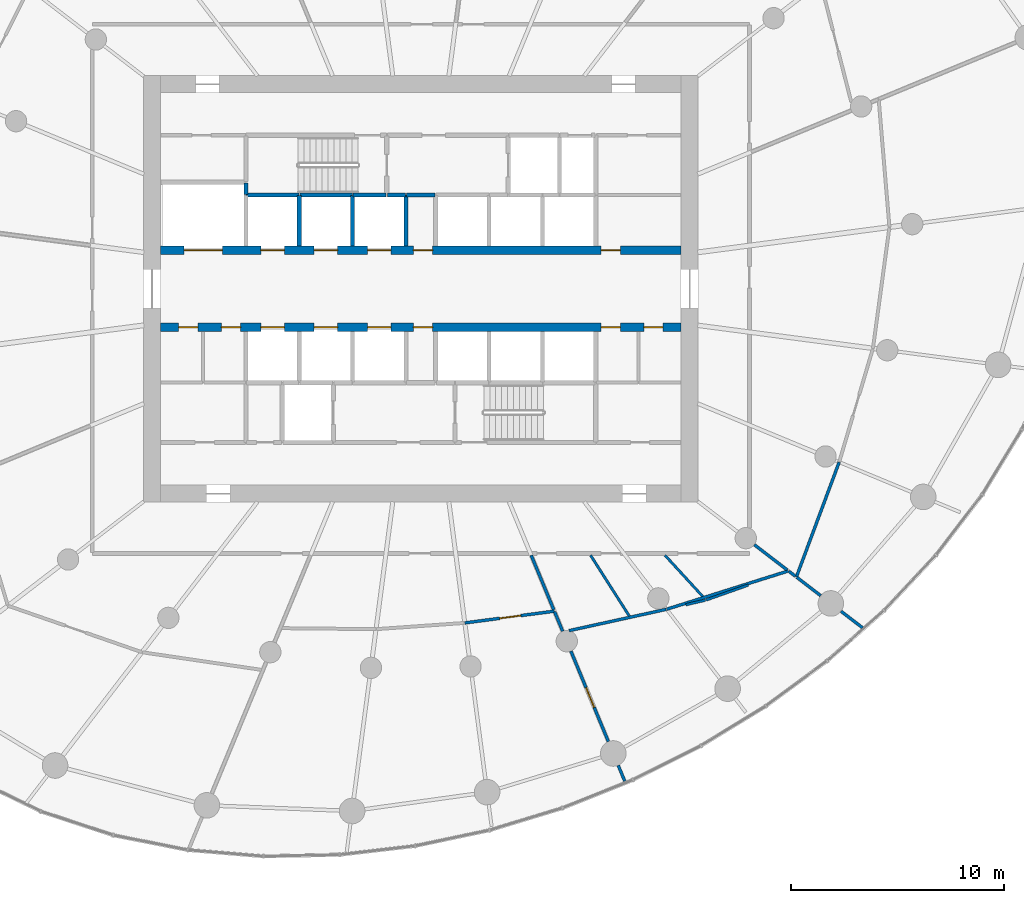
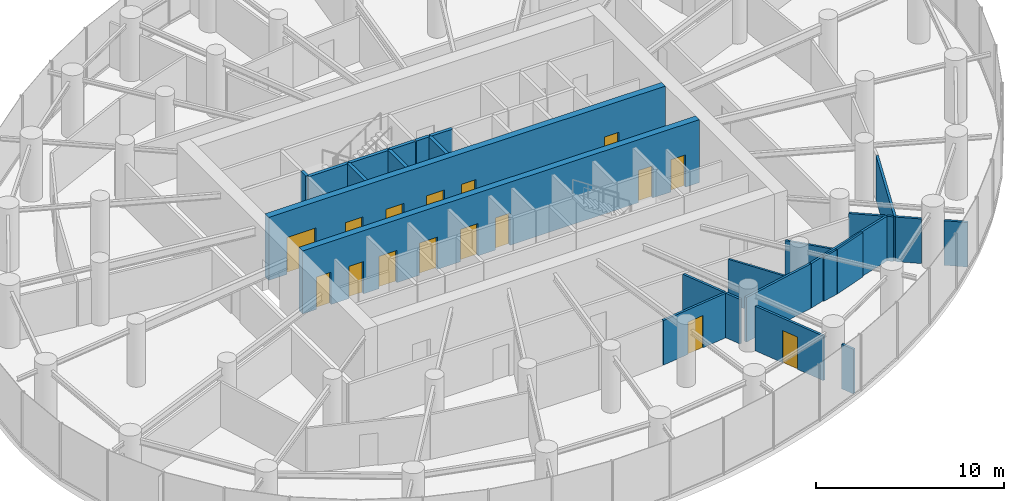
# One storey, part 11 of 17: 27 walls, 16 doors, 16 openings.
"""IFC4 building model written with IfcOpenShell, lengths in metres."""

from ifc_helpers import new_model, si_unit, direction, frame, frame_2d, origin, place, context, subcontext, project, spatial, rectangle, extrude, source, transform, mapped, material, layer, layer_set, type_object, element, fill, save


model = new_model("IFC4")

# Units and contexts
model_context = context("Model", 3, precision=1e-05, world=origin(), true_north=direction((0.0, 1.0)))
body_context = subcontext(model_context, "Body", "Model", "MODEL_VIEW")
ifc_project = project(units=[si_unit("LENGTHUNIT", "METRE"), si_unit("AREAUNIT", "SQUARE_METRE"), si_unit("VOLUMEUNIT", "CUBIC_METRE"), si_unit("PLANEANGLEUNIT", "RADIAN"), si_unit("MASSUNIT", "GRAM", prefix="KILO")], contexts=[model_context])

# Site, building, storey
site_placement = place(None, origin())
site = spatial("IfcSite", under=ifc_project, at=site_placement, CompositionType="ELEMENT")
building_placement = place(site_placement, origin())
building = spatial("IfcBuilding", under=site, at=building_placement, Name="Spindrift Exchange Tower", CompositionType="ELEMENT")
storey_placement = place(building_placement, frame((0.0, 0.0, 96.199951171875)))
storey = spatial("IfcBuildingStorey", under=building, at=storey_placement, Name="L22", CompositionType="ELEMENT", Elevation=96.199951171875)

# Wall, openings, doors
ifc_material_1 = material(Name="Concrete 65 MPa", Category="concrete")
ifc_layer_1 = layer(ifc_material_1, 0.39990234375)
ifc_layer_set_1 = layer_set([ifc_layer_1], Name="RC Spine Wall 400 Concrete 65 MPa")
wall_type_1 = type_object("IfcWallType", Name="RC Spine Wall 400 Concrete 65 MPa", PredefinedType="SHEAR", material=ifc_layer_set_1)
wall_1_placement = place(storey_placement, frame((39.800048828125, 49.800048828125, 0.0), z_axis=(0.0, 0.0, 1.0), x_axis=(1.0, 0.0, 0.0)))
wall_1 = element("IfcWall", 1, at=wall_1_placement, inside=storey, type_object=wall_type_1, Name="Core spine wall N L22", PredefinedType="SHEAR", context=body_context, shape_type="SweptSolid", body=[
    extrude(rectangle(XDim=24.39990234375, YDim=0.39990234375, at=frame_2d((12.199951171875, 0.0))), origin(), (0.0, 0.0, 1.0), 4.10009765625),
])
opening_1_placement = place(wall_1_placement, frame((4.699951171875, 0.0, 0.0)))
opening_1 = element("IfcOpeningElement", 2, at=opening_1_placement, cuts=wall_1, Name="Opening L22-D3", PredefinedType="OPENING", context=body_context, shape_type="SweptSolid", body=[
    extrude(rectangle(XDim=1.10009765625, YDim=2.10009765625, at=frame_2d((0.550048828125, 1.050048828125))), frame((0.0, 0.2099609375, 0.0), z_axis=(0.0, -1.0, 0.0), x_axis=(1.0, 0.0, 0.0)), (0.0, 0.0, 1.0), 0.419921875),
])
opening_2_placement = place(wall_1_placement, frame((7.199951171875, 0.0, 0.0)))
opening_2 = element("IfcOpeningElement", 3, at=opening_2_placement, cuts=wall_1, Name="Opening L22-D4", PredefinedType="OPENING", context=body_context, shape_type="SweptSolid", body=[
    extrude(rectangle(XDim=1.10009765625, YDim=2.10009765625, at=frame_2d((0.550048828125, 1.050048828125))), frame((0.0, 0.2099609375, 0.0), z_axis=(0.0, -1.0, 0.0), x_axis=(1.0, 0.0, 0.0)), (0.0, 0.0, 1.0), 0.419921875),
])
opening_3_placement = place(wall_1_placement, frame((9.699951171875, 0.0, 0.0)))
opening_3 = element("IfcOpeningElement", 4, at=opening_3_placement, cuts=wall_1, Name="Opening L22-D5", PredefinedType="OPENING", context=body_context, shape_type="SweptSolid", body=[
    extrude(rectangle(XDim=1.10009765625, YDim=2.10009765625, at=frame_2d((0.550048828125, 1.050048828125))), frame((0.0, 0.2099609375, 0.0), z_axis=(0.0, -1.0, 0.0), x_axis=(1.0, 0.0, 0.0)), (0.0, 0.0, 1.0), 0.419921875),
])
opening_4_placement = place(wall_1_placement, frame((1.10009765625, 0.0, 0.0)))
opening_4 = element("IfcOpeningElement", 5, at=opening_4_placement, cuts=wall_1, Name="Opening L22-D12", PredefinedType="OPENING", context=body_context, shape_type="SweptSolid", body=[
    extrude(rectangle(XDim=1.800048828125, YDim=2.39990234375, at=frame_2d((0.89990234375, 1.199951171875))), frame((0.0, 0.2099609375, 0.0), z_axis=(0.0, -1.0, 0.0), x_axis=(1.0, 0.0, 0.0)), (0.0, 0.0, 1.0), 0.419921875),
])
opening_5_placement = place(wall_1_placement, frame((20.64990234375, 0.0, 0.0)))
opening_5 = element("IfcOpeningElement", 6, at=opening_5_placement, cuts=wall_1, Name="Opening L22-D47", PredefinedType="OPENING", context=body_context, shape_type="SweptSolid", body=[
    extrude(rectangle(XDim=0.89990234375, YDim=2.10009765625, at=frame_2d((0.449951171875, 1.050048828125))), frame((0.0, 0.2099609375, 0.0), z_axis=(0.0, -1.0, 0.0), x_axis=(1.0, 0.0, 0.0)), (0.0, 0.0, 1.0), 0.419921875),
])
opening_6_placement = place(wall_1_placement, frame((11.85009765625, 0.0, 0.0)))
opening_6 = element("IfcOpeningElement", 7, at=opening_6_placement, cuts=wall_1, Name="Opening L22-D52", PredefinedType="OPENING", context=body_context, shape_type="SweptSolid", body=[
    extrude(rectangle(XDim=0.89990234375, YDim=2.10009765625, at=frame_2d((0.449951171875, 1.050048828125))), frame((0.0, 0.2099609375, 0.0), z_axis=(0.0, -1.0, 0.0), x_axis=(1.0, 0.0, 0.0)), (0.0, 0.0, 1.0), 0.419921875),
])
ifc_material_2 = material(Name="Stainless steel landing door", Category="steel")
door_type_1 = type_object("IfcDoorType", Name="DR-LANDING-1100-SL", OperationType="DOUBLE_DOOR_SLIDING", PredefinedType="USERDEFINED", material=ifc_material_2)
shared_shape_1 = source(origin(), body_context, "Body", "SweptSolid", [
    extrude(rectangle(XDim=1.10009765625, YDim=2.10009765625, at=frame_2d((0.550048828125, 1.050048828125))), frame((0.0, 0.02490234375, 0.0), z_axis=(0.0, -1.0, 0.0), x_axis=(1.0, 0.0, 0.0)), (0.0, 0.0, 1.0), 0.050048828125),
])
door_1_placement = place(opening_1_placement, origin())
door_1 = element("IfcDoor", 8, at=door_1_placement, inside=storey, type_object=door_type_1, Name="L22 Lift landing door 3", ObjectType="LANDING DOOR", OperationType="DOUBLE_DOOR_SLIDING", OverallHeight=2.10009765625, OverallWidth=1.10009765625, PredefinedType="USERDEFINED", context=body_context, shape_type="MappedRepresentation", body=[
    mapped(shared_shape_1, transform((0.0, 0.0, 0.0), scale=1.0)),
])
fill(opening_1, door_1)
door_2_placement = place(opening_2_placement, origin())
door_2 = element("IfcDoor", 9, at=door_2_placement, inside=storey, type_object=door_type_1, Name="L22 Lift landing door 4", ObjectType="LANDING DOOR", OperationType="DOUBLE_DOOR_SLIDING", OverallHeight=2.10009765625, OverallWidth=1.10009765625, PredefinedType="USERDEFINED", context=body_context, shape_type="MappedRepresentation", body=[
    mapped(shared_shape_1, transform((0.0, 0.0, 0.0), scale=1.0)),
])
fill(opening_2, door_2)
door_3_placement = place(opening_3_placement, origin())
door_3 = element("IfcDoor", 10, at=door_3_placement, inside=storey, type_object=door_type_1, Name="L22 Lift landing door 5", ObjectType="LANDING DOOR", OperationType="DOUBLE_DOOR_SLIDING", OverallHeight=2.10009765625, OverallWidth=1.10009765625, PredefinedType="USERDEFINED", context=body_context, shape_type="MappedRepresentation", body=[
    mapped(shared_shape_1, transform((0.0, 0.0, 0.0), scale=1.0)),
])
fill(opening_3, door_3)
door_type_2 = type_object("IfcDoorType", Name="DR-LANDING-1800-SL", OperationType="DOUBLE_DOOR_SLIDING", PredefinedType="USERDEFINED", material=ifc_material_2)
shared_shape_2 = source(origin(), body_context, "Body", "SweptSolid", [
    extrude(rectangle(XDim=1.800048828125, YDim=2.39990234375, at=frame_2d((0.89990234375, 1.199951171875))), frame((0.0, 0.02490234375, 0.0), z_axis=(0.0, -1.0, 0.0), x_axis=(1.0, 0.0, 0.0)), (0.0, 0.0, 1.0), 0.050048828125),
])
door_4_placement = place(opening_4_placement, origin())
door_4 = element("IfcDoor", 11, at=door_4_placement, inside=storey, type_object=door_type_2, Name="L22 Lift landing door 12", ObjectType="LANDING DOOR", OperationType="DOUBLE_DOOR_SLIDING", OverallHeight=2.39990234375, OverallWidth=1.800048828125, PredefinedType="USERDEFINED", context=body_context, shape_type="MappedRepresentation", body=[
    mapped(shared_shape_2, transform((0.0, 0.0, 0.0), scale=1.0)),
])
fill(opening_4, door_4)
ifc_material_3 = material(Name="Steel access door", Category="steel")
door_type_3 = type_object("IfcDoorType", Name="DR-RISER-900", OperationType="NOTDEFINED", PredefinedType="DOOR", material=ifc_material_3)
shared_shape_3 = source(origin(), body_context, "Body", "SweptSolid", [
    extrude(rectangle(XDim=0.89990234375, YDim=2.10009765625, at=frame_2d((0.449951171875, 1.050048828125))), frame((0.0, 0.02490234375, 0.0), z_axis=(0.0, -1.0, 0.0), x_axis=(1.0, 0.0, 0.0)), (0.0, 0.0, 1.0), 0.050048828125),
])
door_5_placement = place(opening_5_placement, origin())
door_5 = element("IfcDoor", 12, at=door_5_placement, inside=storey, type_object=door_type_3, Name="L22 Riser door 47", OperationType="SINGLE_SWING_RIGHT", OverallHeight=2.10009765625, OverallWidth=0.89990234375, PredefinedType="DOOR", context=body_context, shape_type="MappedRepresentation", body=[
    mapped(shared_shape_3, transform((0.0, 0.0, 0.0), scale=1.0)),
])
fill(opening_5, door_5)
door_6_placement = place(opening_6_placement, origin())
door_6 = element("IfcDoor", 13, at=door_6_placement, inside=storey, type_object=door_type_3, Name="L22 Riser door 52", OperationType="SINGLE_SWING_LEFT", OverallHeight=2.10009765625, OverallWidth=0.89990234375, PredefinedType="DOOR", context=body_context, shape_type="MappedRepresentation", body=[
    mapped(shared_shape_3, transform((0.0, 0.0, 0.0), scale=1.0)),
])
fill(opening_6, door_6)

wall_2_placement = place(storey_placement, frame((39.800048828125, 46.199951171875, 0.0), z_axis=(0.0, 0.0, 1.0), x_axis=(1.0, 0.0, 0.0)))
wall_2 = element("IfcWall", 14, at=wall_2_placement, inside=storey, type_object=wall_type_1, Name="Core spine wall S L22", PredefinedType="SHEAR", context=body_context, shape_type="SweptSolid", body=[
    extrude(rectangle(XDim=24.39990234375, YDim=0.39990234375, at=frame_2d((12.199951171875, 0.0))), origin(), (0.0, 0.0, 1.0), 4.10009765625),
])
opening_7_placement = place(wall_2_placement, frame((4.699951171875, 0.0, 0.0)))
opening_7 = element("IfcOpeningElement", 15, at=opening_7_placement, cuts=wall_2, Name="Opening L22-D6", PredefinedType="OPENING", context=body_context, shape_type="SweptSolid", body=[
    extrude(rectangle(XDim=1.10009765625, YDim=2.10009765625, at=frame_2d((0.550048828125, 1.050048828125))), frame((0.0, 0.2099609375, 0.0), z_axis=(0.0, -1.0, 0.0), x_axis=(1.0, 0.0, 0.0)), (0.0, 0.0, 1.0), 0.419921875),
])
opening_8_placement = place(wall_2_placement, frame((7.199951171875, 0.0, 0.0)))
opening_8 = element("IfcOpeningElement", 16, at=opening_8_placement, cuts=wall_2, Name="Opening L22-D7", PredefinedType="OPENING", context=body_context, shape_type="SweptSolid", body=[
    extrude(rectangle(XDim=1.10009765625, YDim=2.10009765625, at=frame_2d((0.550048828125, 1.050048828125))), frame((0.0, 0.2099609375, 0.0), z_axis=(0.0, -1.0, 0.0), x_axis=(1.0, 0.0, 0.0)), (0.0, 0.0, 1.0), 0.419921875),
])
opening_9_placement = place(wall_2_placement, frame((9.699951171875, 0.0, 0.0)))
opening_9 = element("IfcOpeningElement", 17, at=opening_9_placement, cuts=wall_2, Name="Opening L22-D8", PredefinedType="OPENING", context=body_context, shape_type="SweptSolid", body=[
    extrude(rectangle(XDim=1.10009765625, YDim=2.10009765625, at=frame_2d((0.550048828125, 1.050048828125))), frame((0.0, 0.2099609375, 0.0), z_axis=(0.0, -1.0, 0.0), x_axis=(1.0, 0.0, 0.0)), (0.0, 0.0, 1.0), 0.419921875),
])
opening_10_placement = place(wall_2_placement, frame((20.64990234375, 0.0, 0.0)))
opening_10 = element("IfcOpeningElement", 18, at=opening_10_placement, cuts=wall_2, Name="Opening L22-D45", PredefinedType="OPENING", context=body_context, shape_type="SweptSolid", body=[
    extrude(rectangle(XDim=0.89990234375, YDim=2.10009765625, at=frame_2d((0.449951171875, 1.050048828125))), frame((0.0, 0.2099609375, 0.0), z_axis=(0.0, -1.0, 0.0), x_axis=(1.0, 0.0, 0.0)), (0.0, 0.0, 1.0), 0.419921875),
])
opening_11_placement = place(wall_2_placement, frame((22.64990234375, 0.0, 0.0)))
opening_11 = element("IfcOpeningElement", 19, at=opening_11_placement, cuts=wall_2, Name="Opening L22-D46", PredefinedType="OPENING", context=body_context, shape_type="SweptSolid", body=[
    extrude(rectangle(XDim=0.89990234375, YDim=2.10009765625, at=frame_2d((0.449951171875, 1.050048828125))), frame((0.0, 0.2099609375, 0.0), z_axis=(0.0, -1.0, 0.0), x_axis=(1.0, 0.0, 0.0)), (0.0, 0.0, 1.0), 0.419921875),
])
opening_12_placement = place(wall_2_placement, frame((0.85009765625, 0.0, 0.0)))
opening_12 = element("IfcOpeningElement", 20, at=opening_12_placement, cuts=wall_2, Name="Opening L22-D50", PredefinedType="OPENING", context=body_context, shape_type="SweptSolid", body=[
    extrude(rectangle(XDim=0.89990234375, YDim=2.10009765625, at=frame_2d((0.449951171875, 1.050048828125))), frame((0.0, 0.2099609375, 0.0), z_axis=(0.0, -1.0, 0.0), x_axis=(1.0, 0.0, 0.0)), (0.0, 0.0, 1.0), 0.419921875),
])
opening_13_placement = place(wall_2_placement, frame((2.85009765625, 0.0, 0.0)))
opening_13 = element("IfcOpeningElement", 21, at=opening_13_placement, cuts=wall_2, Name="Opening L22-D51", PredefinedType="OPENING", context=body_context, shape_type="SweptSolid", body=[
    extrude(rectangle(XDim=0.89990234375, YDim=2.10009765625, at=frame_2d((0.449951171875, 1.050048828125))), frame((0.0, 0.2099609375, 0.0), z_axis=(0.0, -1.0, 0.0), x_axis=(1.0, 0.0, 0.0)), (0.0, 0.0, 1.0), 0.419921875),
])
opening_14_placement = place(wall_2_placement, frame((11.85009765625, 0.0, 0.0)))
opening_14 = element("IfcOpeningElement", 22, at=opening_14_placement, cuts=wall_2, Name="Opening L22-D53", PredefinedType="OPENING", context=body_context, shape_type="SweptSolid", body=[
    extrude(rectangle(XDim=0.89990234375, YDim=2.10009765625, at=frame_2d((0.449951171875, 1.050048828125))), frame((0.0, 0.2099609375, 0.0), z_axis=(0.0, -1.0, 0.0), x_axis=(1.0, 0.0, 0.0)), (0.0, 0.0, 1.0), 0.419921875),
])
door_7_placement = place(opening_7_placement, origin())
door_7 = element("IfcDoor", 23, at=door_7_placement, inside=storey, type_object=door_type_1, Name="L22 Lift landing door 6", ObjectType="LANDING DOOR", OperationType="DOUBLE_DOOR_SLIDING", OverallHeight=2.10009765625, OverallWidth=1.10009765625, PredefinedType="USERDEFINED", context=body_context, shape_type="MappedRepresentation", body=[
    mapped(shared_shape_1, transform((0.0, 0.0, 0.0), scale=1.0)),
])
fill(opening_7, door_7)
door_8_placement = place(opening_8_placement, origin())
door_8 = element("IfcDoor", 24, at=door_8_placement, inside=storey, type_object=door_type_1, Name="L22 Lift landing door 7", ObjectType="LANDING DOOR", OperationType="DOUBLE_DOOR_SLIDING", OverallHeight=2.10009765625, OverallWidth=1.10009765625, PredefinedType="USERDEFINED", context=body_context, shape_type="MappedRepresentation", body=[
    mapped(shared_shape_1, transform((0.0, 0.0, 0.0), scale=1.0)),
])
fill(opening_8, door_8)
door_9_placement = place(opening_9_placement, origin())
door_9 = element("IfcDoor", 25, at=door_9_placement, inside=storey, type_object=door_type_1, Name="L22 Lift landing door 8", ObjectType="LANDING DOOR", OperationType="DOUBLE_DOOR_SLIDING", OverallHeight=2.10009765625, OverallWidth=1.10009765625, PredefinedType="USERDEFINED", context=body_context, shape_type="MappedRepresentation", body=[
    mapped(shared_shape_1, transform((0.0, 0.0, 0.0), scale=1.0)),
])
fill(opening_9, door_9)
door_10_placement = place(opening_10_placement, origin())
door_10 = element("IfcDoor", 26, at=door_10_placement, inside=storey, type_object=door_type_3, Name="L22 Riser door 45", OperationType="SINGLE_SWING_RIGHT", OverallHeight=2.10009765625, OverallWidth=0.89990234375, PredefinedType="DOOR", context=body_context, shape_type="MappedRepresentation", body=[
    mapped(shared_shape_3, transform((0.0, 0.0, 0.0), scale=1.0)),
])
fill(opening_10, door_10)
door_11_placement = place(opening_11_placement, origin())
door_11 = element("IfcDoor", 27, at=door_11_placement, inside=storey, type_object=door_type_3, Name="L22 Riser door 46", OperationType="SINGLE_SWING_LEFT", OverallHeight=2.10009765625, OverallWidth=0.89990234375, PredefinedType="DOOR", context=body_context, shape_type="MappedRepresentation", body=[
    mapped(shared_shape_3, transform((0.0, 0.0, 0.0), scale=1.0)),
])
fill(opening_11, door_11)
door_12_placement = place(opening_12_placement, origin())
door_12 = element("IfcDoor", 28, at=door_12_placement, inside=storey, type_object=door_type_3, Name="L22 Riser door 50", OperationType="SINGLE_SWING_LEFT", OverallHeight=2.10009765625, OverallWidth=0.89990234375, PredefinedType="DOOR", context=body_context, shape_type="MappedRepresentation", body=[
    mapped(shared_shape_3, transform((0.0, 0.0, 0.0), scale=1.0)),
])
fill(opening_12, door_12)
door_13_placement = place(opening_13_placement, origin())
door_13 = element("IfcDoor", 29, at=door_13_placement, inside=storey, type_object=door_type_3, Name="L22 Riser door 51", OperationType="SINGLE_SWING_RIGHT", OverallHeight=2.10009765625, OverallWidth=0.89990234375, PredefinedType="DOOR", context=body_context, shape_type="MappedRepresentation", body=[
    mapped(shared_shape_3, transform((0.0, 0.0, 0.0), scale=1.0)),
])
fill(opening_13, door_13)
door_14_placement = place(opening_14_placement, origin())
door_14 = element("IfcDoor", 30, at=door_14_placement, inside=storey, type_object=door_type_3, Name="L22 Riser door 53", OperationType="SINGLE_SWING_RIGHT", OverallHeight=2.10009765625, OverallWidth=0.89990234375, PredefinedType="DOOR", context=body_context, shape_type="MappedRepresentation", body=[
    mapped(shared_shape_3, transform((0.0, 0.0, 0.0), scale=1.0)),
])
fill(opening_14, door_14)

# Walls
ifc_material_4 = material(Name="Fire-rated plasterboard partition", Category="gypsum")
ifc_layer_2 = layer(ifc_material_4, 0.139892578125)
ifc_layer_set_2 = layer_set([ifc_layer_2], Name="W-PART-140")
wall_type_2 = type_object("IfcWallType", Name="W-PART-140", PredefinedType="PARTITIONING", material=ifc_layer_set_2)
wall_3_placement = place(storey_placement, frame((57.173583984375, 35.510009765625, 0.0), z_axis=(0.0, 0.0, 1.0), x_axis=(0.382695087151, -0.923874704855, 0.0)))
element("IfcWall", 31, at=wall_3_placement, inside=storey, type_object=wall_type_2, Name="L22 Partition wall 103", PredefinedType="PARTITIONING", context=body_context, shape_type="SweptSolid", body=[
    extrude(rectangle(XDim=2.763671875, YDim=0.139892578125, at=frame_2d((1.3818359375, 0.0))), origin(), (0.0, 0.0, 1.0), 2.900146484375),
])
wall_4_placement = place(storey_placement, frame((67.632568359375, 36.004638671875, 0.0), z_axis=(0.0, 0.0, 1.0), x_axis=(0.793347691058, -0.608768791161, 0.0)))
element("IfcWall", 32, at=wall_4_placement, inside=storey, type_object=wall_type_2, Name="L22 Partition wall 105", PredefinedType="PARTITIONING", context=body_context, shape_type="SweptSolid", body=[
    extrude(rectangle(XDim=1.9296875, YDim=0.139892578125, at=frame_2d((0.96484375, 0.0))), origin(), (0.0, 0.0, 1.0), 2.900146484375),
])
ifc_layer_3 = layer(ifc_material_4, 0.1201171875)
ifc_layer_set_3 = layer_set([ifc_layer_3], Name="W-PLANT-120")
wall_type_3 = type_object("IfcWallType", Name="W-PLANT-120", PredefinedType="PARTITIONING", material=ifc_layer_set_3)
wall_5_placement = place(storey_placement, frame((65.368408203125, 33.410888671875, 0.0), z_axis=(0.0, 0.0, 1.0), x_axis=(0.942711024934, 0.33361043669, 0.0)))
element("IfcWall", 33, at=wall_5_placement, inside=storey, type_object=wall_type_3, Name="L22 Partition wall 129", PredefinedType="PARTITIONING", context=body_context, shape_type="SweptSolid", body=[
    extrude(rectangle(XDim=2.100341796875, YDim=0.1201171875, at=frame_2d((1.05029296875, 0.0))), origin(), (0.0, 0.0, 1.0), 2.900146484375),
])
wall_6_placement = place(storey_placement, frame((64.42333984375, 33.1904296875, 0.0), z_axis=(0.0, 0.0, 1.0), x_axis=(0.973868006814, 0.227114740395, 0.0)))
element("IfcWall", 34, at=wall_6_placement, inside=storey, type_object=wall_type_3, Name="L22 Partition wall 132", PredefinedType="PARTITIONING", context=body_context, shape_type="SweptSolid", body=[
    extrude(rectangle(XDim=0.940673828125, YDim=0.1201171875, at=frame_2d((0.47021484375, 0.0))), origin(), (0.0, 0.0, 1.0), 2.900146484375),
])
ifc_layer_4 = layer(ifc_material_4, 0.139892578125)
ifc_layer_set_4 = layer_set([ifc_layer_4], Name="W-PLANT-140")
wall_type_4 = type_object("IfcWallType", Name="W-PLANT-140", PredefinedType="PARTITIONING", material=ifc_layer_set_4)
wall_7_placement = place(storey_placement, frame((63.524658203125, 32.980712890625, 0.0), z_axis=(0.0, 0.0, 1.0), x_axis=(0.953823490885, 0.300367688402, 0.0)))
element("IfcWall", 35, at=wall_7_placement, inside=storey, type_object=wall_type_4, Name="L22 Partition wall 77", PredefinedType="PARTITIONING", context=body_context, shape_type="SweptSolid", body=[
    extrude(rectangle(XDim=5.983154296875, YDim=0.139892578125, at=frame_2d((2.99169921875, 0.0))), origin(), (0.0, 0.0, 1.0), 2.900146484375),
])
wall_8_placement = place(storey_placement, frame((69.60400390625, 34.491943359375, 0.0), z_axis=(0.0, 0.0, 1.0), x_axis=(0.349032218766, 0.937110724655, 0.0)))
element("IfcWall", 36, at=wall_8_placement, inside=storey, type_object=wall_type_4, Name="L22 Partition wall 79", PredefinedType="PARTITIONING", context=body_context, shape_type="SweptSolid", body=[
    extrude(rectangle(XDim=5.746826171875, YDim=0.139892578125, at=frame_2d((2.87353515625, 0.0))), origin(), (0.0, 0.0, 1.0), 2.900146484375),
])
wall_9_placement = place(storey_placement, frame((58.947265625, 31.97607421875, 0.0), z_axis=(0.0, 0.0, 1.0), x_axis=(0.976747556801, 0.214392654451, 0.0)))
element("IfcWall", 37, at=wall_9_placement, inside=storey, type_object=wall_type_4, Name="L22 Partition wall 88", PredefinedType="PARTITIONING", context=body_context, shape_type="SweptSolid", body=[
    extrude(rectangle(XDim=4.65625, YDim=0.139892578125, at=frame_2d((2.328125, 0.0))), origin(), (0.0, 0.0, 1.0), 2.900146484375),
])

# Wall, opening, door
wall_10_placement = place(storey_placement, frame((59.034912109375, 31.015869140625, 0.0), z_axis=(0.0, 0.0, 1.0), x_axis=(0.382705930348, -0.923870213221, 0.0)))
wall_10 = element("IfcWall", 38, at=wall_10_placement, inside=storey, type_object=wall_type_4, Name="L22 Partition wall 89", PredefinedType="PARTITIONING", context=body_context, shape_type="SweptSolid", body=[
    extrude(rectangle(XDim=4.586669921875, YDim=0.139892578125, at=frame_2d((2.29345703125, 0.0))), origin(), (0.0, 0.0, 1.0), 2.900146484375),
])
opening_15_placement = place(wall_10_placement, frame((1.85009765625, 0.0, 0.0)))
opening_15 = element("IfcOpeningElement", 39, at=opening_15_placement, cuts=wall_10, Name="Opening L22-D29", PredefinedType="OPENING", context=body_context, shape_type="SweptSolid", body=[
    extrude(rectangle(XDim=1.0, YDim=2.10009765625, at=frame_2d((0.5, 1.050048828125))), frame((0.0, 0.079833984375, 0.0), z_axis=(0.0, -1.0, 0.0), x_axis=(1.0, 0.0, 0.0)), (0.0, 0.0, 1.0), 0.159912109375),
])
ifc_material_5 = material(Name="Timber-core fire door", Category="wood")
door_type_4 = type_object("IfcDoorType", Name="DR-ROOM-1000", OperationType="NOTDEFINED", PredefinedType="DOOR", material=ifc_material_5)
shared_shape_4 = source(origin(), body_context, "Body", "SweptSolid", [
    extrude(rectangle(XDim=1.0, YDim=2.10009765625, at=frame_2d((0.5, 1.050048828125))), frame((0.0, 0.02490234375, 0.0), z_axis=(0.0, -1.0, 0.0), x_axis=(1.0, 0.0, 0.0)), (0.0, 0.0, 1.0), 0.050048828125),
])
door_15_placement = place(opening_15_placement, origin())
door_15 = element("IfcDoor", 40, at=door_15_placement, inside=storey, type_object=door_type_4, Name="L22 Door 29", OperationType="SINGLE_SWING_RIGHT", OverallHeight=2.10009765625, OverallWidth=1.0, PredefinedType="DOOR", context=body_context, shape_type="MappedRepresentation", body=[
    mapped(shared_shape_4, transform((0.0, 0.0, 0.0), scale=1.0)),
])
fill(opening_15, door_15)

wall_11_placement = place(storey_placement, frame((58.2587890625, 32.889892578125, 0.0), z_axis=(0.0, 0.0, 1.0), x_axis=(-0.991506238872, -0.130059133771, 0.0)))
wall_11 = element("IfcWall", 41, at=wall_11_placement, inside=storey, type_object=wall_type_4, Name="L22 Partition wall 95", PredefinedType="PARTITIONING", context=body_context, shape_type="SweptSolid", body=[
    extrude(rectangle(XDim=4.23291015625, YDim=0.139892578125, at=frame_2d((2.116455078125, 0.0))), origin(), (0.0, 0.0, 1.0), 2.900146484375),
])
opening_16_placement = place(wall_11_placement, frame((1.5830078125, 0.0, 0.0)))
opening_16 = element("IfcOpeningElement", 42, at=opening_16_placement, cuts=wall_11, Name="Opening L22-D42", PredefinedType="OPENING", context=body_context, shape_type="SweptSolid", body=[
    extrude(rectangle(XDim=1.0, YDim=2.10009765625, at=frame_2d((0.5, 1.050048828125))), frame((0.0, 0.079833984375, 0.0), z_axis=(0.0, -1.0, 0.0), x_axis=(1.0, 0.0, 0.0)), (0.0, 0.0, 1.0), 0.159912109375),
])
door_16_placement = place(opening_16_placement, origin())
door_16 = element("IfcDoor", 43, at=door_16_placement, inside=storey, type_object=door_type_4, Name="L22 Door 42", OperationType="SINGLE_SWING_LEFT", OverallHeight=2.10009765625, OverallWidth=1.0, PredefinedType="DOOR", context=body_context, shape_type="MappedRepresentation", body=[
    mapped(shared_shape_4, transform((0.0, 0.0, 0.0), scale=1.0)),
])
fill(opening_16, door_16)

# Walls
wall_12_placement = place(storey_placement, frame((69.255126953125, 34.759521484375, 0.0), z_axis=(0.0, 0.0, 1.0), x_axis=(0.793638535871, -0.608389574517, 0.0)))
element("IfcWall", 44, at=wall_12_placement, inside=storey, type_object=wall_type_4, Name="L22 Partition wall 104", PredefinedType="PARTITIONING", context=body_context, shape_type="SweptSolid", body=[
    extrude(rectangle(XDim=0.366455078125, YDim=0.139892578125, at=frame_2d((0.18310546875, 0.0))), origin(), (0.0, 0.0, 1.0), 2.900146484375),
])
wall_13_placement = place(storey_placement, frame((69.627685546875, 34.4736328125, 0.0), z_axis=(0.0, 0.0, 1.0), x_axis=(0.793412961963, -0.608683720654, 0.0)))
element("IfcWall", 45, at=wall_13_placement, inside=storey, type_object=wall_type_4, Name="L22 Partition wall 112", PredefinedType="PARTITIONING", context=body_context, shape_type="SweptSolid", body=[
    extrude(rectangle(XDim=1.40234375, YDim=0.139892578125, at=frame_2d((0.701171875, 0.0))), origin(), (0.0, 0.0, 1.0), 2.900146484375),
])
wall_14_placement = place(storey_placement, frame((71.69921875, 32.88427734375, 0.0), z_axis=(0.0, 0.0, 1.0), x_axis=(0.793289842444, -0.60884417208, 0.0)))
element("IfcWall", 46, at=wall_14_placement, inside=storey, type_object=wall_type_4, Name="L22 Partition wall 118", PredefinedType="PARTITIONING", context=body_context, shape_type="SweptSolid", body=[
    extrude(rectangle(XDim=1.266845703125, YDim=0.139892578125, at=frame_2d((0.63330078125, 0.0))), origin(), (0.0, 0.0, 1.0), 2.900146484375),
])
wall_15_placement = place(storey_placement, frame((58.270263671875, 32.862060546875, 0.0), z_axis=(0.0, 0.0, 1.0), x_axis=(0.382649964745, -0.923893394543, 0.0)))
element("IfcWall", 47, at=wall_15_placement, inside=storey, type_object=wall_type_4, Name="L22 Partition wall 122", PredefinedType="PARTITIONING", context=body_context, shape_type="SweptSolid", body=[
    extrude(rectangle(XDim=0.98828125, YDim=0.139892578125, at=frame_2d((0.494140625, 0.0))), origin(), (0.0, 0.0, 1.0), 2.900146484375),
])
wall_16_placement = place(storey_placement, frame((61.25341796875, 25.660400390625, 0.0), z_axis=(0.0, 0.0, 1.0), x_axis=(0.382766463222, -0.923845135633, 0.0)))
element("IfcWall", 48, at=wall_16_placement, inside=storey, type_object=wall_type_4, Name="L22 Partition wall 124", PredefinedType="PARTITIONING", context=body_context, shape_type="SweptSolid", body=[
    extrude(rectangle(XDim=0.79736328125, YDim=0.139892578125, at=frame_2d((0.398681640625, 0.0))), origin(), (0.0, 0.0, 1.0), 2.900146484375),
])
ifc_material_6 = material(Name="Concrete 40 MPa", Category="concrete")
ifc_layer_5 = layer(ifc_material_6, 0.199951171875)
ifc_layer_set_5 = layer_set([ifc_layer_5], Name="W-SHAFT-200")
wall_type_5 = type_object("IfcWallType", Name="W-SHAFT-200", PredefinedType="SOLIDWALL", material=ifc_layer_set_5)
wall_17_placement = place(storey_placement, frame((51.300048828125, 50.010009765625, 0.0), z_axis=(0.0, 0.0, 1.0), x_axis=(0.0, 1.0, 0.0)))
element("IfcWall", 49, at=wall_17_placement, inside=storey, type_object=wall_type_5, Name="L22 Shaft wall 30", PredefinedType="SOLIDWALL", context=body_context, shape_type="SweptSolid", body=[
    extrude(rectangle(XDim=2.389892578125, YDim=0.199951171875, at=frame_2d((1.19482421875, 0.0))), origin(), (0.0, 0.0, 1.0), 3.699951171875),
])
wall_18_placement = place(storey_placement, frame((51.330078125, 52.39990234375, 0.0), z_axis=(0.0, 0.0, 1.0), x_axis=(1.0, 0.0, 0.0)))
element("IfcWall", 50, at=wall_18_placement, inside=storey, type_object=wall_type_5, Name="L22 Shaft wall 49", PredefinedType="SOLIDWALL", context=body_context, shape_type="SweptSolid", body=[
    extrude(rectangle(XDim=1.33984375, YDim=0.199951171875, at=frame_2d((0.669921875, 0.0))), origin(), (0.0, 0.0, 1.0), 3.699951171875),
])
ifc_layer_6 = layer(ifc_material_6, 0.199951171875)
ifc_layer_set_6 = layer_set([ifc_layer_6], Name="W-SHAFT-200-LB")
wall_type_6 = type_object("IfcWallType", Name="W-SHAFT-200-LB", PredefinedType="SOLIDWALL", material=ifc_layer_set_6)
wall_19_placement = place(storey_placement, frame((46.300048828125, 52.39990234375, 0.0), z_axis=(0.0, 0.0, 1.0), x_axis=(-1.0, 0.0, 0.0)))
element("IfcWall", 51, at=wall_19_placement, inside=storey, type_object=wall_type_6, Name="L22 Shaft wall 15", PredefinedType="SOLIDWALL", context=body_context, shape_type="SweptSolid", body=[
    extrude(rectangle(XDim=2.5, YDim=0.199951171875, at=frame_2d((1.25, 0.0))), origin(), (0.0, 0.0, 1.0), 3.699951171875),
])
wall_20_placement = place(storey_placement, frame((48.800048828125, 52.39990234375, 0.0), z_axis=(0.0, 0.0, 1.0), x_axis=(-1.0, 0.0, 0.0)))
element("IfcWall", 52, at=wall_20_placement, inside=storey, type_object=wall_type_6, Name="L22 Shaft wall 16", PredefinedType="SOLIDWALL", context=body_context, shape_type="SweptSolid", body=[
    extrude(rectangle(XDim=2.469970703125, YDim=0.199951171875, at=frame_2d((1.23486328125, 0.0))), origin(), (0.0, 0.0, 1.0), 3.699951171875),
])
for number, where, z_axis, x_axis, name in (
    (53, (46.300048828125, 50.010009765625, 0.0), (0.0, 0.0, 1.0), (0.0, 1.0, 0.0), "L22 Shaft wall 26"),
    (54, (48.800048828125, 50.010009765625, 0.0), (0.0, 0.0, 1.0), (0.0, 1.0, 0.0), "L22 Shaft wall 28"),
):
    element("IfcWall", number, at=place(storey_placement, frame(where, z_axis=z_axis, x_axis=x_axis)), inside=storey, type_object=wall_type_6, Name=name, PredefinedType="SOLIDWALL", context=body_context, shape_type="SweptSolid", body=[
        extrude(rectangle(XDim=2.360107421875, YDim=0.199951171875, at=frame_2d((1.18017578125, 0.0))), origin(), (0.0, 0.0, 1.0), 3.699951171875),
    ])
wall_21_placement = place(storey_placement, frame((50.3701171875, 52.39990234375, 0.0), z_axis=(0.0, 0.0, 1.0), x_axis=(-1.0, 0.0, 0.0)))
element("IfcWall", 55, at=wall_21_placement, inside=storey, type_object=wall_type_6, Name="L22 Shaft wall 45", PredefinedType="SOLIDWALL", context=body_context, shape_type="SweptSolid", body=[
    extrude(rectangle(XDim=1.5400390625, YDim=0.199951171875, at=frame_2d((0.77001953125, 0.0))), origin(), (0.0, 0.0, 1.0), 3.699951171875),
])
wall_22_placement = place(storey_placement, frame((51.27001953125, 52.39990234375, 0.0), z_axis=(0.0, 0.0, 1.0), x_axis=(-1.0, 0.0, 0.0)))
element("IfcWall", 56, at=wall_22_placement, inside=storey, type_object=wall_type_6, Name="L22 Shaft wall 51", PredefinedType="SOLIDWALL", context=body_context, shape_type="SweptSolid", body=[
    extrude(rectangle(XDim=0.840087890625, YDim=0.199951171875, at=frame_2d((0.419921875, 0.0))), origin(), (0.0, 0.0, 1.0), 3.699951171875),
])
wall_23_placement = place(storey_placement, frame((43.800048828125, 52.429931640625, 0.0), z_axis=(0.0, 0.0, 1.0), x_axis=(0.0, 1.0, 0.0)))
element("IfcWall", 57, at=wall_23_placement, inside=storey, type_object=wall_type_6, Name="L22 Shaft wall 56", PredefinedType="SOLIDWALL", context=body_context, shape_type="SweptSolid", body=[
    extrude(rectangle(XDim=0.5400390625, YDim=0.199951171875, at=frame_2d((0.27001953125, 0.0))), origin(), (0.0, 0.0, 1.0), 3.699951171875),
])
ifc_layer_7 = layer(ifc_material_4, 0.1201171875)
ifc_layer_set_7 = layer_set([ifc_layer_7], Name="W-WET-120")
wall_type_7 = type_object("IfcWallType", Name="W-WET-120", PredefinedType="PARTITIONING", material=ifc_layer_set_7)
wall_24_placement = place(storey_placement, frame((59.95703125, 35.510009765625, 0.0), z_axis=(0.0, 0.0, 1.0), x_axis=(0.537315929202, -0.84338104806, 0.0)))
element("IfcWall", 58, at=wall_24_placement, inside=storey, type_object=wall_type_7, Name="L22 Partition wall 130", PredefinedType="PARTITIONING", context=body_context, shape_type="SweptSolid", body=[
    extrude(rectangle(XDim=3.37109375, YDim=0.1201171875, at=frame_2d((1.685546875, 0.0))), origin(), (0.0, 0.0, 1.0), 2.900146484375),
])
wall_25_placement = place(storey_placement, frame((63.445068359375, 35.510009765625, 0.0), z_axis=(0.0, 0.0, 1.0), x_axis=(0.675580671641, -0.737286074808, 0.0)))
element("IfcWall", 59, at=wall_25_placement, inside=storey, type_object=wall_type_7, Name="L22 Partition wall 131", PredefinedType="PARTITIONING", context=body_context, shape_type="SweptSolid", body=[
    extrude(rectangle(XDim=2.611328125, YDim=0.1201171875, at=frame_2d((1.3056640625, 0.0))), origin(), (0.0, 0.0, 1.0), 2.900146484375),
])

save(model, "model.ifc")
